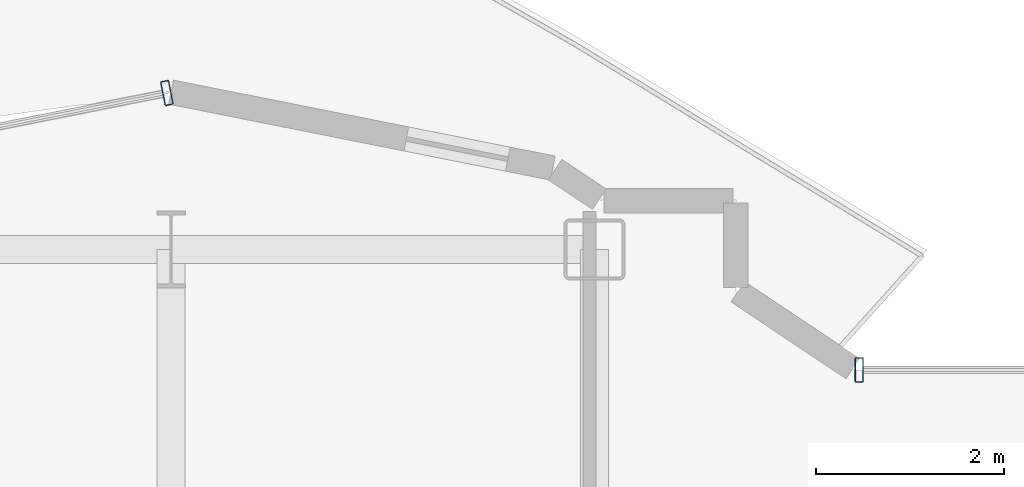
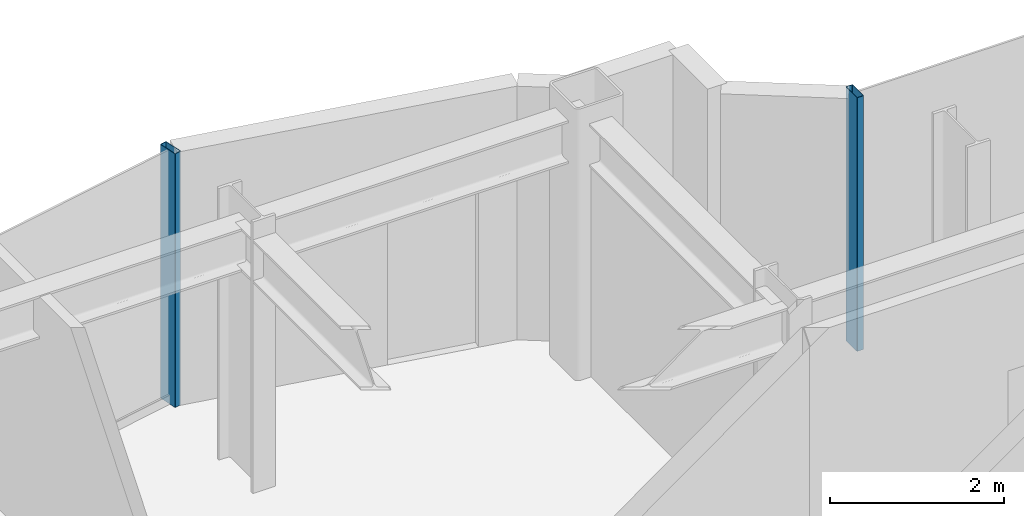
# One storey, part 10 of 21: 2 members, 2 elements without a shape of their own.
"""IFC4 building model written with IfcOpenShell, lengths in metres."""

from ifc_helpers import new_model, si_unit, direction, frame, origin, origin_2d, place, context, subcontext, project, spatial, hollow_rectangle, extrude, source, transform, mapped, material, layer, layer_set, material_profile, profile_set, type_object, element, aggregate, save


model = new_model("IFC4")

# Units and contexts
model_context = context("Model", 3, precision=1e-05, world=origin(), true_north=direction((0.0, 1.0)))
body_context = subcontext(model_context, "Body", "Model", "MODEL_VIEW")
ifc_project = project(units=[si_unit("LENGTHUNIT", "METRE"), si_unit("AREAUNIT", "SQUARE_METRE"), si_unit("VOLUMEUNIT", "CUBIC_METRE"), si_unit("PLANEANGLEUNIT", "RADIAN"), si_unit("MASSUNIT", "GRAM", prefix="KILO")], contexts=[model_context])

# Site, building, storey
site_placement = place(None, origin())
site = spatial("IfcSite", under=ifc_project, at=site_placement, CompositionType="ELEMENT")
building_placement = place(site_placement, origin())
building = spatial("IfcBuilding", under=site, at=building_placement, Name="Nefas-Gora Pilgrimage Tower", CompositionType="ELEMENT")
storey_placement = place(building_placement, frame((0.0, 0.0, 248.39990234375)))
storey = spatial("IfcBuildingStorey", under=building, at=storey_placement, Name="L62", CompositionType="ELEMENT", Elevation=248.39990234375)

# Curtain wall, member
ifc_material_1 = material(Name="Dark ceramic-fritted solar-control aluminium-glass curtain wall", Category="aluminium")
ifc_layer = layer(ifc_material_1, 0.219970703125)
ifc_layer_set = layer_set([ifc_layer], Name="Dark ceramic-fritted solar-control aluminium-glass curtain wall")
curtain_wall_type = type_object("IfcCurtainWallType", Name="CW-SYS-5", PredefinedType="NOTDEFINED", material=ifc_layer_set)
curtain_wall_1_placement = place(storey_placement, origin())
curtain_wall_1 = element("IfcCurtainWall", 1, at=curtain_wall_1_placement, inside=storey, type_object=curtain_wall_type, Name="L62 Unitised Curtain Wall CW5", PredefinedType="NOTDEFINED")
ifc_material_2 = material(Name="Anodised architectural aluminium", Category="aluminium")
ifc_material_profile = material_profile(ifc_material_2, hollow_rectangle(XDim=0.090087890625, YDim=0.260009765625, WallThickness=0.006103515625, InnerFilletRadius=0.006103515625, OuterFilletRadius=0.011962890625, at=origin_2d()), Name="ALU MULLION 90x260")
ifc_profile_set = profile_set([ifc_material_profile], Name="Anodised architectural aluminium")
member_type = type_object("IfcMemberType", Name="CWM-MUL-5", PredefinedType="MULLION", material=ifc_profile_set)
shared_shape = source(origin(), body_context, "Body", "SweptSolid", [
    extrude(hollow_rectangle(XDim=0.090087890625, YDim=0.260009765625, WallThickness=0.006103515625, InnerFilletRadius=0.006103515625, OuterFilletRadius=0.011962890625, at=origin_2d()), origin(), (0.0, 0.0, 1.0), 3.550048828125),
])
member_1_placement = place(storey_placement, frame((5.06298828125, 21.219970703125, 0.0), z_axis=(0.0, 0.0, 1.0), x_axis=(-1.0, 0.0, 0.0)))
member_1 = element("IfcMember", 2, at=member_1_placement, type_object=member_type, Name="CW5 Mullion 2", PredefinedType="MULLION", context=body_context, shape_type="MappedRepresentation", body=[
    mapped(shared_shape, transform((0.0, 0.0, 0.0), x_axis=(1.0, 0.0, 0.0), y_axis=(0.0, 1.0, 0.0), z_axis=(0.0, 0.0, 1.0), scale=1.0)),
])
aggregate(curtain_wall_1, [member_1])

curtain_wall_2_placement = place(storey_placement, origin())
curtain_wall_2 = element("IfcCurtainWall", 3, at=curtain_wall_2_placement, inside=storey, type_object=curtain_wall_type, Name="L62 Unitised Curtain Wall CW5", PredefinedType="NOTDEFINED")
member_2_placement = place(storey_placement, frame((-2.294189453125, 24.16357421875, 0.0), z_axis=(0.0, 0.0, 1.0), x_axis=(-0.980782896852, -0.195102304554, 0.0)))
member_2 = element("IfcMember", 4, at=member_2_placement, type_object=member_type, Name="CW5 Mullion 1", PredefinedType="MULLION", context=body_context, shape_type="MappedRepresentation", body=[
    mapped(shared_shape, transform((0.0, 0.0, 0.0), x_axis=(1.0, 0.0, 0.0), y_axis=(0.0, 1.0, 0.0), z_axis=(0.0, 0.0, 1.0), scale=1.0)),
])
aggregate(curtain_wall_2, [member_2])

save(model, "model.ifc")
